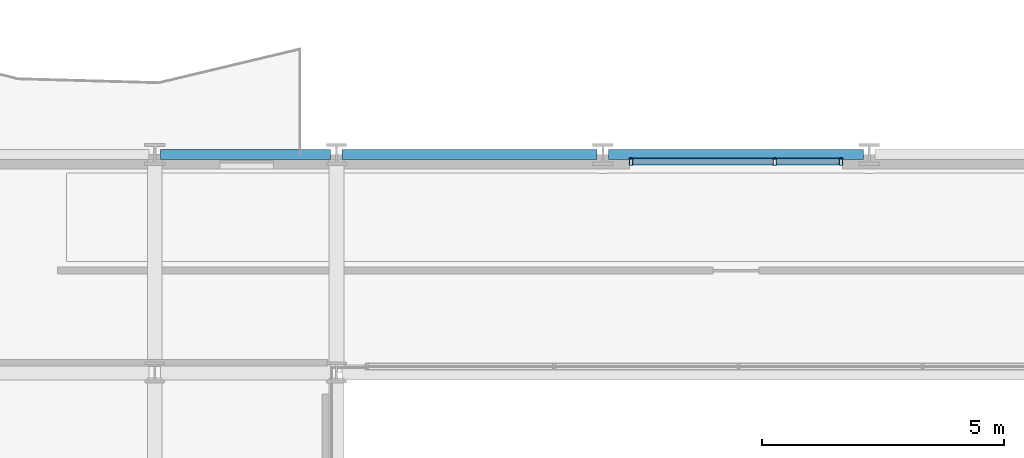
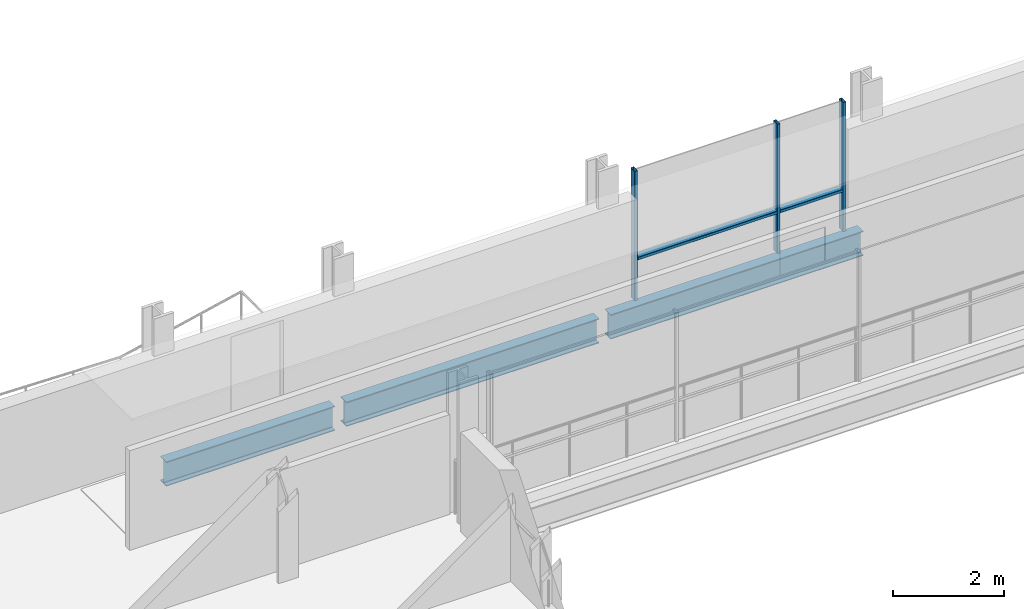
# One storey, part 22 of 41: 5 members, 3 beams, 1 element without a shape of its own.
"""IFC4 building model written with IfcOpenShell, lengths in metres."""

from ifc_helpers import new_model, si_unit, direction, frame, origin, origin_2d, place, context, subcontext, project, spatial, hollow_rectangle, i_section, extrude, material, layer, layer_set, material_profile, profile_set, type_object, element, aggregate, save


model = new_model("IFC4")

# Units and contexts
model_context = context("Model", 3, precision=1e-05, world=origin(), true_north=direction((0.0, 1.0)))
body_context = subcontext(model_context, "Body", "Model", "MODEL_VIEW")
ifc_project = project(units=[si_unit("LENGTHUNIT", "METRE"), si_unit("AREAUNIT", "SQUARE_METRE"), si_unit("VOLUMEUNIT", "CUBIC_METRE"), si_unit("PLANEANGLEUNIT", "RADIAN"), si_unit("MASSUNIT", "GRAM", prefix="KILO")], contexts=[model_context])

# Site, building, storey
site_placement = place(None, origin())
site = spatial("IfcSite", under=ifc_project, at=site_placement, CompositionType="ELEMENT")
building_placement = place(site_placement, origin())
building = spatial("IfcBuilding", under=site, at=building_placement, Name="Brevholm Reach", CompositionType="ELEMENT")
storey_placement = place(building_placement, frame((0.0, 0.0, 93.10009765625)))
storey = spatial("IfcBuildingStorey", under=building, at=storey_placement, Name="L27", CompositionType="ELEMENT", Elevation=93.10009765625)

# Beams
ifc_material_1 = material(Name="Structural Steel S355J2", Category="steel")
ifc_material_profile_1 = material_profile(ifc_material_1, i_section(OverallWidth=0.210693359375, OverallDepth=0.53955078125, WebThickness=0.01171875, FlangeThickness=0.018798828125, FilletRadius=0.0126953125, at=origin_2d()), Name="UKB 533x210x109")
ifc_profile_set_1 = profile_set([ifc_material_profile_1], Name="Structural Steel S355J2")
beam_type = type_object("IfcBeamType", Name="BM-SP539", PredefinedType="SPANDREL", material=ifc_profile_set_1)
beam_placement = place(storey_placement, frame((18.1201171875, 31.0, -0.499755859375), z_axis=(1.0, 0.0, 0.0), x_axis=(0.0, 1.0, 0.0)))
element("IfcBeam", 1, at=beam_placement, inside=storey, type_object=beam_type, Name="L27 SP-01B Framing Beam", PredefinedType="SPANDREL", context=body_context, shape_type="SweptSolid", body=[
    extrude(i_section(OverallWidth=0.210693359375, OverallDepth=0.53955078125, WebThickness=0.01171875, FlangeThickness=0.018798828125, FilletRadius=0.0126953125, at=origin_2d()), origin(), (0.0, 0.0, 1.0), 3.509765625),
])
for number, where, z_axis, x_axis, name in (
    (2, (21.8701171875, 31.0, -0.499755859375), (1.0, 0.0, 0.0), (0.0, 1.0, 0.0), "L27 SP-01B Framing Beam"),
    (3, (27.3701171875, 31.0, -0.499755859375), (1.0, 0.0, 0.0), (0.0, 1.0, 0.0), "L27 SP-01B Framing Beam"),
):
    element("IfcBeam", number, at=place(storey_placement, frame(where, z_axis=z_axis, x_axis=x_axis)), inside=storey, type_object=beam_type, Name=name, PredefinedType="SPANDREL", context=body_context, shape_type="SweptSolid", body=[
        extrude(i_section(OverallWidth=0.210693359375, OverallDepth=0.53955078125, WebThickness=0.01171875, FlangeThickness=0.018798828125, FilletRadius=0.0126953125, at=origin_2d()), origin(), (0.0, 0.0, 1.0), 5.259765625),
    ])

# Curtain wall, members
ifc_material_2 = material(Name="Dark Anodised Aluminium 6063-T6 and Solar-Control Glass", Category="aluminium")
ifc_layer = layer(ifc_material_2, 0.14990234375)
ifc_layer_set = layer_set([ifc_layer], Name="Dark Anodised Aluminium 6063-T6 and Solar-Control Glass")
curtain_wall_type = type_object("IfcCurtainWallType", Name="CW-01", PredefinedType="NOTDEFINED", material=ifc_layer_set)
curtain_wall_placement = place(storey_placement, origin())
curtain_wall = element("IfcCurtainWall", 4, at=curtain_wall_placement, inside=storey, type_object=curtain_wall_type, Name="L27 Curtain Wall CW-01", PredefinedType="NOTDEFINED")
ifc_material_3 = material(Name="Dark Anodised Aluminium 6063-T6", Category="aluminium")
ifc_material_profile_2 = material_profile(ifc_material_3, hollow_rectangle(XDim=0.06494140625, YDim=0.14990234375, WallThickness=0.0048828125, InnerFilletRadius=0.0048828125, OuterFilletRadius=0.010009765625, at=origin_2d()), Name="RHS 150x65x5")
ifc_profile_set_2 = profile_set([ifc_material_profile_2], Name="Dark Anodised Aluminium 6063-T6")
member_type_1 = type_object("IfcMemberType", Name="CWM-150", PredefinedType="MULLION", material=ifc_profile_set_2)
member_1_placement = place(storey_placement, frame((27.83251953125, 30.85009765625, 0.0), z_axis=(0.0, 0.0, 1.0), x_axis=(1.0, 0.0, 0.0)))
member_1 = element("IfcMember", 5, at=member_1_placement, type_object=member_type_1, Name="CM-150 Mullion 1", PredefinedType="MULLION", context=body_context, shape_type="SweptSolid", body=[
    extrude(hollow_rectangle(XDim=0.06494140625, YDim=0.14990234375, WallThickness=0.0048828125, InnerFilletRadius=0.0048828125, OuterFilletRadius=0.010009765625, at=origin_2d()), origin(), (0.0, 0.0, 1.0), 2.83984375),
])
member_2_placement = place(storey_placement, frame((30.800048828125, 30.85009765625, 0.0), z_axis=(0.0, 0.0, 1.0), x_axis=(1.0, 0.0, 0.0)))
member_2 = element("IfcMember", 6, at=member_2_placement, type_object=member_type_1, Name="CM-150 Mullion 2", PredefinedType="MULLION", context=body_context, shape_type="SweptSolid", body=[
    extrude(hollow_rectangle(XDim=0.06494140625, YDim=0.14990234375, WallThickness=0.0048828125, InnerFilletRadius=0.0048828125, OuterFilletRadius=0.010009765625, at=origin_2d()), origin(), (0.0, 0.0, 1.0), 2.83984375),
])
member_3_placement = place(storey_placement, frame((32.16748046875, 30.85009765625, 0.0), z_axis=(0.0, 0.0, 1.0), x_axis=(1.0, 0.0, 0.0)))
member_3 = element("IfcMember", 7, at=member_3_placement, type_object=member_type_1, Name="CM-150 Mullion 3", PredefinedType="MULLION", context=body_context, shape_type="SweptSolid", body=[
    extrude(hollow_rectangle(XDim=0.06494140625, YDim=0.14990234375, WallThickness=0.0048828125, InnerFilletRadius=0.0048828125, OuterFilletRadius=0.010009765625, at=origin_2d()), origin(), (0.0, 0.0, 1.0), 2.83984375),
])
ifc_material_4 = material(Name="Dark Anodised Aluminium 6063-T6", Category="aluminium")
ifc_material_profile_3 = material_profile(ifc_material_4, hollow_rectangle(XDim=0.06494140625, YDim=0.14990234375, WallThickness=0.0048828125, InnerFilletRadius=0.0048828125, OuterFilletRadius=0.010009765625, at=origin_2d()), Name="RHS 150x65x5")
ifc_profile_set_3 = profile_set([ifc_material_profile_3], Name="Dark Anodised Aluminium 6063-T6")
member_type_2 = type_object("IfcMemberType", Name="CWT-150", PredefinedType="NOTDEFINED", material=ifc_profile_set_3)
member_4_placement = place(storey_placement, frame((27.864990234375, 30.85009765625, 0.89990234375), z_axis=(1.0, 0.0, 0.0), x_axis=(0.0, 0.0, 1.0)))
member_4 = element("IfcMember", 8, at=member_4_placement, type_object=member_type_2, Name="CT-150 Transom 1.1", ObjectType="TRANSOM", PredefinedType="USERDEFINED", context=body_context, shape_type="SweptSolid", body=[
    extrude(hollow_rectangle(XDim=0.06494140625, YDim=0.14990234375, WallThickness=0.0048828125, InnerFilletRadius=0.0048828125, OuterFilletRadius=0.010009765625, at=origin_2d()), origin(), (0.0, 0.0, 1.0), 2.902587890625),
])
member_5_placement = place(storey_placement, frame((30.83251953125, 30.85009765625, 0.89990234375), z_axis=(1.0, 0.0, 0.0), x_axis=(0.0, 0.0, 1.0)))
member_5 = element("IfcMember", 9, at=member_5_placement, type_object=member_type_2, Name="CT-150 Transom 2.1", ObjectType="TRANSOM", PredefinedType="USERDEFINED", context=body_context, shape_type="SweptSolid", body=[
    extrude(hollow_rectangle(XDim=0.06494140625, YDim=0.14990234375, WallThickness=0.0048828125, InnerFilletRadius=0.0048828125, OuterFilletRadius=0.010009765625, at=origin_2d()), origin(), (0.0, 0.0, 1.0), 1.302490234375),
])
aggregate(curtain_wall, [member_1, member_2, member_3, member_4, member_5])

save(model, "model.ifc")
